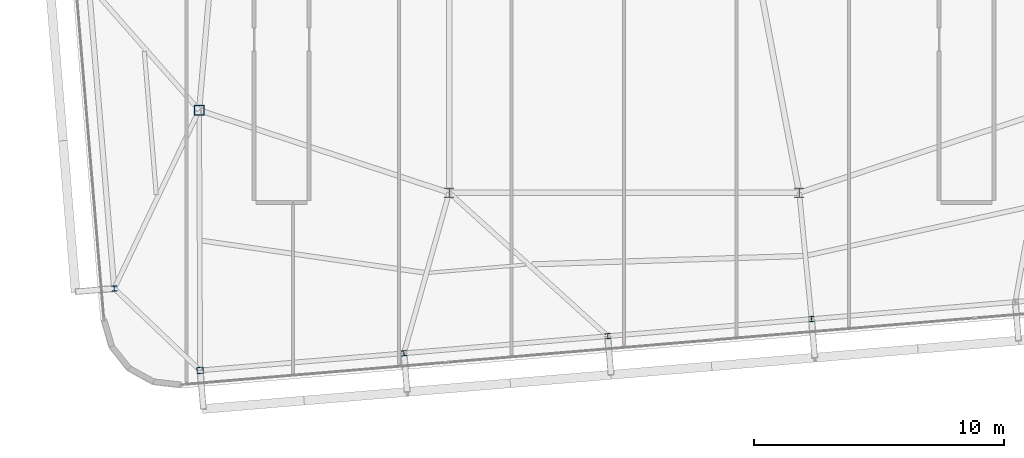
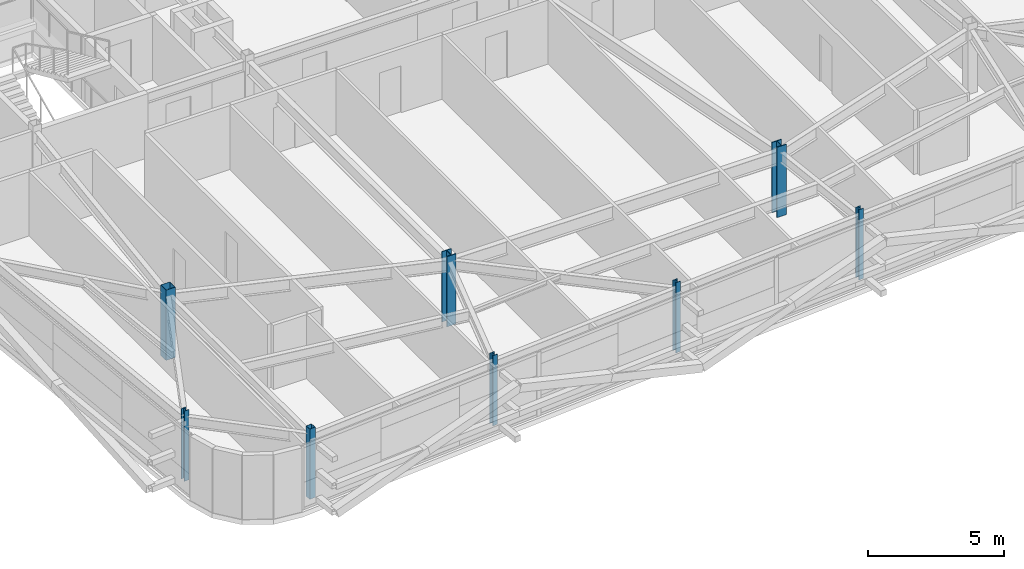
# One storey, part 1 of 39: 8 columns.
"""IFC4 building model written with IfcOpenShell, lengths in metres."""

from ifc_helpers import new_model, si_unit, direction, frame, origin, origin_2d, place, context, subcontext, project, spatial, hollow_rectangle, i_section, extrude, source, transform, mapped, material, material_profile, profile_set, type_object, element, save


model = new_model("IFC4")

# Units and contexts
model_context = context("Model", 3, precision=1e-05, world=origin(), true_north=direction((0.0, 1.0)))
body_context = subcontext(model_context, "Body", "Model", "MODEL_VIEW")
ifc_project = project(units=[si_unit("LENGTHUNIT", "METRE"), si_unit("AREAUNIT", "SQUARE_METRE"), si_unit("VOLUMEUNIT", "CUBIC_METRE"), si_unit("PLANEANGLEUNIT", "RADIAN"), si_unit("MASSUNIT", "GRAM", prefix="KILO")], contexts=[model_context])

# Site, building, storey
site_placement = place(None, origin())
site = spatial("IfcSite", under=ifc_project, at=site_placement, CompositionType="ELEMENT")
building_placement = place(site_placement, origin())
building = spatial("IfcBuilding", under=site, at=building_placement, Name="Taldren Reach Tower", CompositionType="ELEMENT")
storey_placement = place(building_placement, frame((0.0, 0.0, 204.050048828125)))
storey = spatial("IfcBuildingStorey", under=building, at=storey_placement, Name="L62", CompositionType="ELEMENT", Elevation=204.050048828125)

# Columns
ifc_material_1 = material(Name="Steel Gr 350 (350PLUS)", Category="steel")
ifc_material_profile_1 = material_profile(ifc_material_1, i_section(OverallWidth=0.39990234375, OverallDepth=0.39599609375, WebThickness=0.02197265625, FlangeThickness=0.033935546875, at=origin_2d()), Name="400WC270")
ifc_profile_set_1 = profile_set([ifc_material_profile_1], Name="Steel Gr 350 (350PLUS)")
column_type_1 = type_object("IfcColumnType", Name="COL-WC400", PredefinedType="COLUMN", material=ifc_profile_set_1)
shared_shape_1 = source(origin(), body_context, "Body", "SweptSolid", [
    extrude(i_section(OverallWidth=0.39990234375, OverallDepth=0.39599609375, WebThickness=0.02197265625, FlangeThickness=0.033935546875, at=origin_2d()), origin(), (0.0, 0.0, 1.0), 3.14990234375),
])
for number, where, z_axis, x_axis, name in (
    (1, (28.0, 9.199951171875, 0.0), (0.0, 0.0, 1.0), (1.0, 0.0, 0.0), "Mega column MC-PJW L62"),
    (2, (42.0, 9.199951171875, 0.0), (0.0, 0.0, 1.0), (1.0, 0.0, 0.0), "Mega column MC-PJE L62"),
):
    element("IfcColumn", number, at=place(storey_placement, frame(where, z_axis=z_axis, x_axis=x_axis)), inside=storey, type_object=column_type_1, Name=name, PredefinedType="COLUMN", context=body_context, shape_type="MappedRepresentation", body=[
        mapped(shared_shape_1, transform((0.0, 0.0, 0.0), scale=1.0)),
    ])
ifc_material_2 = material(Name="Steel Gr 450 (C450L0)", Category="steel")
ifc_material_profile_2 = material_profile(ifc_material_2, hollow_rectangle(XDim=0.39990234375, YDim=0.39990234375, WallThickness=0.01611328125, at=origin_2d()), Name="400x400x16.0SHS")
ifc_profile_set_2 = profile_set([ifc_material_profile_2], Name="Steel Gr 450 (C450L0)")
column_type_2 = type_object("IfcColumnType", Name="COL-SHS400", PredefinedType="COLUMN", material=ifc_profile_set_2)
shared_shape_2 = source(origin(), body_context, "Body", "SweptSolid", [
    extrude(hollow_rectangle(XDim=0.39990234375, YDim=0.39990234375, WallThickness=0.01611328125, at=origin_2d()), origin(), (0.0, 0.0, 1.0), 3.14990234375),
])
column_1_placement = place(storey_placement, frame((18.0, 12.5, 0.0), z_axis=(0.0, 0.0, 1.0), x_axis=(1.0, 0.0, 0.0)))
element("IfcColumn", 3, at=column_1_placement, inside=storey, type_object=column_type_2, Name="Mega column MC-SW L62", PredefinedType="COLUMN", context=body_context, shape_type="MappedRepresentation", body=[
    mapped(shared_shape_2, transform((0.0, 0.0, 0.0), scale=1.0)),
])
ifc_material_3 = material(Name="Steel Gr 350 (C350L0)", Category="steel")
ifc_material_profile_3 = material_profile(ifc_material_3, hollow_rectangle(XDim=0.25, YDim=0.25, WallThickness=0.010009765625, at=origin_2d()), Name="250x250x10.0SHS")
ifc_profile_set_3 = profile_set([ifc_material_profile_3], Name="Steel Gr 350 (C350L0)")
column_type_3 = type_object("IfcColumnType", Name="COL-SHS250", PredefinedType="COLUMN", material=ifc_profile_set_3)
shared_shape_3 = source(origin(), body_context, "Body", "SweptSolid", [
    extrude(hollow_rectangle(XDim=0.25, YDim=0.25, WallThickness=0.010009765625, at=origin_2d()), origin(), (0.0, 0.0, 1.0), 3.14990234375),
])
column_2_placement = place(storey_placement, frame((18.03955078125, 2.093994140625, 0.0), z_axis=(0.0, 0.0, 1.0), x_axis=(0.99649285925, 0.083677843332, 0.0)))
element("IfcColumn", 4, at=column_2_placement, inside=storey, type_object=column_type_3, Name="Block B4 perimeter column S1 L62", PredefinedType="COLUMN", context=body_context, shape_type="MappedRepresentation", body=[
    mapped(shared_shape_3, transform((0.0, 0.0, 0.0), scale=1.0)),
])
ifc_material_profile_4 = material_profile(ifc_material_1, i_section(OverallWidth=0.205078125, OverallDepth=0.2099609375, WebThickness=0.00927734375, FlangeThickness=0.01416015625, at=origin_2d()), Name="200UC59.5")
ifc_profile_set_4 = profile_set([ifc_material_profile_4], Name="Steel Gr 350 (350PLUS)")
column_type_4 = type_object("IfcColumnType", Name="COL-UC200", PredefinedType="COLUMN", material=ifc_profile_set_4)
shared_shape_4 = source(origin(), body_context, "Body", "SweptSolid", [
    extrude(i_section(OverallWidth=0.205078125, OverallDepth=0.2099609375, WebThickness=0.00927734375, FlangeThickness=0.01416015625, at=origin_2d()), origin(), (0.0, 0.0, 1.0), 3.14990234375),
])
for number, where, z_axis, x_axis, name in (
    (5, (26.19091796875, 2.778564453125, 0.0), (0.0, 0.0, 1.0), (0.99649285925, 0.083677843332, 0.0), "Block B4 perimeter column S2 L62"),
    (6, (34.34228515625, 3.462890625, 0.0), (0.0, 0.0, 1.0), (0.99649285925, 0.083677843332, 0.0), "Block B4 perimeter column S3 L62"),
    (7, (42.49365234375, 4.1474609375, 0.0), (0.0, 0.0, 1.0), (0.99649285925, 0.083677843332, 0.0), "Block B4 perimeter column S4 L62"),
    (8, (14.603759765625, 5.367919921875, 0.0), (0.0, 0.0, 1.0), (0.99649285925, 0.083677843332, 0.0), "Block B4 perimeter column W1 L62"),
):
    element("IfcColumn", number, at=place(storey_placement, frame(where, z_axis=z_axis, x_axis=x_axis)), inside=storey, type_object=column_type_4, Name=name, PredefinedType="COLUMN", context=body_context, shape_type="MappedRepresentation", body=[
        mapped(shared_shape_4, transform((0.0, 0.0, 0.0), scale=1.0)),
    ])

save(model, "model.ifc")
